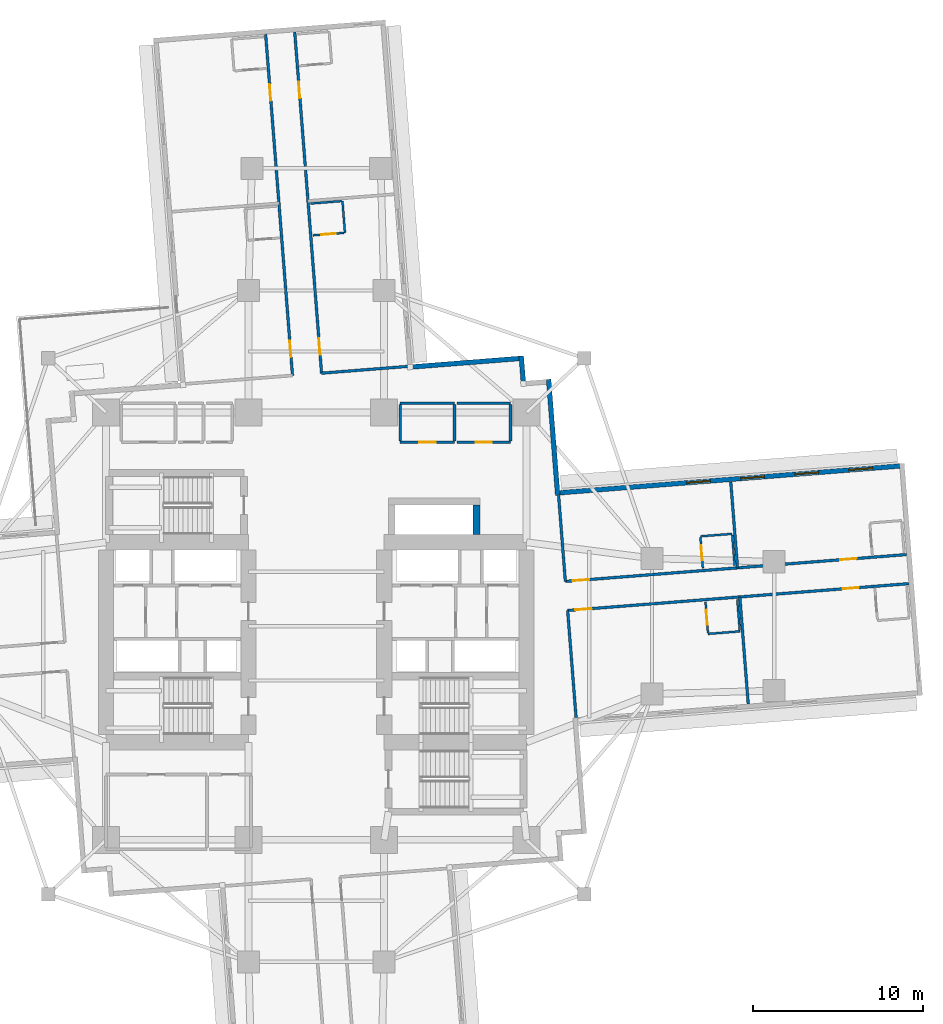
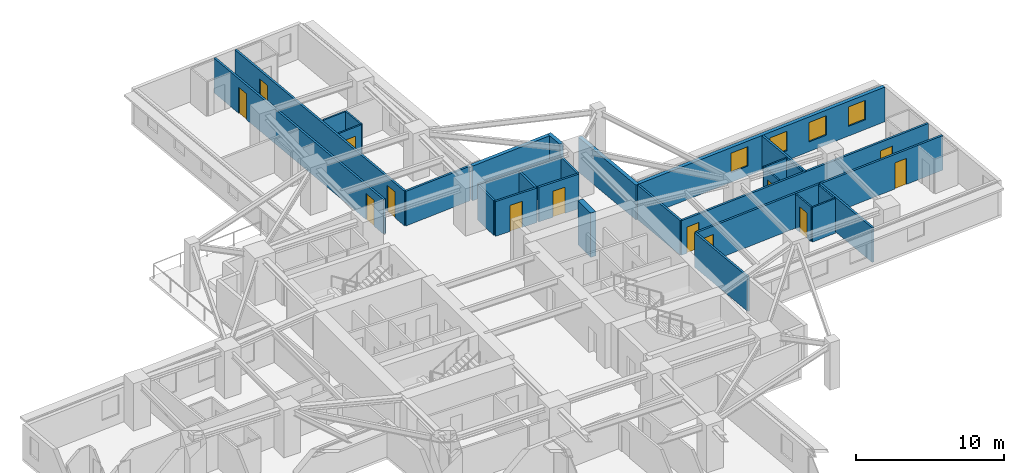
# One storey, part 7 of 13: 30 walls, 13 doors, 4 windows, 17 openings.
"""IFC4 building model written with IfcOpenShell, lengths in metres."""

from ifc_helpers import new_model, si_unit, direction, frame, frame_2d, origin, place, context, subcontext, project, spatial, rectangle, extrude, material, layer, layer_set, type_object, element, fill, save


model = new_model("IFC4")

# Units and contexts
model_context = context("Model", 3, precision=1e-05, world=origin(), true_north=direction((0.0, 1.0)))
body_context = subcontext(model_context, "Body", "Model", "MODEL_VIEW")
ifc_project = project(units=[si_unit("LENGTHUNIT", "METRE"), si_unit("AREAUNIT", "SQUARE_METRE"), si_unit("VOLUMEUNIT", "CUBIC_METRE"), si_unit("PLANEANGLEUNIT", "RADIAN"), si_unit("MASSUNIT", "GRAM", prefix="KILO")], contexts=[model_context])

# Site, building, storey
site_placement = place(None, origin())
site = spatial("IfcSite", under=ifc_project, at=site_placement, CompositionType="ELEMENT")
building_placement = place(site_placement, origin())
building = spatial("IfcBuilding", under=site, at=building_placement, Name="Qingluan Cross Belvedere", CompositionType="ELEMENT")
storey_placement = place(building_placement, frame((0.0, 0.0, 43.199951171875)))
storey = spatial("IfcBuildingStorey", under=building, at=storey_placement, Name="L11", CompositionType="ELEMENT", Elevation=43.199951171875)

# Wall
ifc_material_1 = material(Name="Concrete C50", Category="concrete")
ifc_layer_1 = layer(ifc_material_1, 0.449951171875, Name="CoreShearWall_450")
ifc_layer_set_1 = layer_set([ifc_layer_1], Name="Concrete C50")
wall_type_1 = type_object("IfcWallType", Name="CoreShearWall_450", PredefinedType="SHEAR", material=ifc_layer_set_1)
wall_1_placement = place(storey_placement, frame((9.449951171875, 5.405029296875, 0.0), z_axis=(0.0, 0.0, 1.0), x_axis=(0.0, 1.0, 0.0)))
element("IfcWall", 1, at=wall_1_placement, inside=storey, type_object=wall_type_1, Name="Express shuttle core wall L11-E", PredefinedType="SHEAR", context=body_context, shape_type="SweptSolid", body=[
    extrude(rectangle(XDim=1.73486328125, YDim=0.39990234375, at=frame_2d((0.867431640625, 0.0))), origin(), (0.0, 0.0, 1.0), 3.650146484375),
])

# Wall, opening, door
ifc_material_2 = material(Name="Gypsum plasterboard on steel stud acoustic partition", Category="steel")
ifc_layer_2 = layer(ifc_material_2, 0.159912109375, Name="CorridorPartition_160")
ifc_layer_set_2 = layer_set([ifc_layer_2], Name="Gypsum plasterboard on steel stud acoustic partition")
wall_type_2 = type_object("IfcWallType", Name="CorridorPartition_160", PredefinedType="PARTITIONING", material=ifc_layer_set_2)
wall_2_placement = place(storey_placement, frame((4.949951171875, 10.85009765625, 0.0), z_axis=(0.0, 0.0, 1.0), x_axis=(1.0, 0.0, 0.0)))
wall_2 = element("IfcWall", 2, at=wall_2_placement, inside=storey, type_object=wall_type_2, Name="Partition L11:q_ne1:S", PredefinedType="PARTITIONING", context=body_context, shape_type="SweptSolid", body=[
    extrude(rectangle(XDim=3.199951171875, YDim=0.159912109375, at=frame_2d((1.60009765625, 0.0))), origin(), (0.0, 0.0, 1.0), 2.85009765625),
])
opening_1_placement = place(wall_2_placement, frame((1.1201171875, 0.0, 0.0)))
opening_1 = element("IfcOpeningElement", 3, at=opening_1_placement, cuts=wall_2, Name="Opening GD-10", PredefinedType="OPENING", context=body_context, shape_type="SweptSolid", body=[
    extrude(rectangle(XDim=0.9599609375, YDim=2.14990234375, at=frame_2d((0.47998046875, 1.074951171875))), frame((0.0, 0.08984375, 0.0), z_axis=(0.0, -1.0, 0.0), x_axis=(1.0, 0.0, 0.0)), (0.0, 0.0, 1.0), 0.179931640625),
])
ifc_material_3 = material(Name="Timber oak fire-rated acoustic guestroom door", Category="wood")
door_type_1 = type_object("IfcDoorType", Name="GuestEntryDoor_FD60", OperationType="NOTDEFINED", PredefinedType="DOOR", material=ifc_material_3)
door_1_placement = place(opening_1_placement, origin())
door_1 = element("IfcDoor", 4, at=door_1_placement, inside=storey, type_object=door_type_1, Name="Presidential dining salon L11 door", OperationType="SINGLE_SWING_LEFT", OverallHeight=2.14990234375, OverallWidth=0.9599609375, PredefinedType="DOOR", context=body_context, shape_type="SweptSolid", body=[
    extrude(rectangle(XDim=0.9599609375, YDim=2.14990234375, at=frame_2d((0.47998046875, 1.074951171875))), frame((0.0, 0.02490234375, 0.0), z_axis=(0.0, -1.0, 0.0), x_axis=(1.0, 0.0, 0.0)), (0.0, 0.0, 1.0), 0.050048828125),
])
fill(opening_1, door_1)

# Walls
wall_3_placement = place(storey_placement, frame((4.949951171875, 13.14990234375, 0.0), z_axis=(0.0, 0.0, 1.0), x_axis=(1.0, 0.0, 0.0)))
element("IfcWall", 5, at=wall_3_placement, inside=storey, type_object=wall_type_2, Name="Partition L11:q_ne1:N", PredefinedType="PARTITIONING", context=body_context, shape_type="SweptSolid", body=[
    extrude(rectangle(XDim=3.199951171875, YDim=0.159912109375, at=frame_2d((1.60009765625, 0.0))), origin(), (0.0, 0.0, 1.0), 2.85009765625),
])
for number, where, z_axis, x_axis, name in (
    (6, (4.949951171875, 10.93505859375, 0.0), (0.0, 0.0, 1.0), (0.0, 1.0, 0.0), "Partition L11:q_ne1:W"),
    (7, (8.14990234375, 10.93505859375, 0.0), (0.0, 0.0, 1.0), (0.0, 1.0, 0.0), "Partition L11:q_ne1:E"),
):
    element("IfcWall", number, at=place(storey_placement, frame(where, z_axis=z_axis, x_axis=x_axis)), inside=storey, type_object=wall_type_2, Name=name, PredefinedType="PARTITIONING", context=body_context, shape_type="SweptSolid", body=[
        extrude(rectangle(XDim=2.1298828125, YDim=0.159912109375, at=frame_2d((1.06494140625, 0.0))), origin(), (0.0, 0.0, 1.0), 2.85009765625),
    ])

# Wall, opening, door
wall_4_placement = place(storey_placement, frame((8.31005859375, 10.85009765625, 0.0), z_axis=(0.0, 0.0, 1.0), x_axis=(1.0, 0.0, 0.0)))
wall_4 = element("IfcWall", 8, at=wall_4_placement, inside=storey, type_object=wall_type_2, Name="Partition L11:q_ne2:S", PredefinedType="PARTITIONING", context=body_context, shape_type="SweptSolid", body=[
    extrude(rectangle(XDim=3.139892578125, YDim=0.159912109375, at=frame_2d((1.56982421875, 0.0))), origin(), (0.0, 0.0, 1.0), 2.85009765625),
])
opening_2_placement = place(wall_4_placement, frame((1.090087890625, 0.0, 0.0)))
opening_2 = element("IfcOpeningElement", 9, at=opening_2_placement, cuts=wall_4, Name="Opening GD-10", PredefinedType="OPENING", context=body_context, shape_type="SweptSolid", body=[
    extrude(rectangle(XDim=0.9599609375, YDim=2.14990234375, at=frame_2d((0.47998046875, 1.074951171875))), frame((0.0, 0.08984375, 0.0), z_axis=(0.0, -1.0, 0.0), x_axis=(1.0, 0.0, 0.0)), (0.0, 0.0, 1.0), 0.179931640625),
])
door_2_placement = place(opening_2_placement, origin())
door_2 = element("IfcDoor", 10, at=door_2_placement, inside=storey, type_object=door_type_1, Name="Northeast quiet study L11 door", OperationType="SINGLE_SWING_RIGHT", OverallHeight=2.14990234375, OverallWidth=0.9599609375, PredefinedType="DOOR", context=body_context, shape_type="SweptSolid", body=[
    extrude(rectangle(XDim=0.9599609375, YDim=2.14990234375, at=frame_2d((0.47998046875, 1.074951171875))), frame((0.0, 0.02490234375, 0.0), z_axis=(0.0, -1.0, 0.0), x_axis=(1.0, 0.0, 0.0)), (0.0, 0.0, 1.0), 0.050048828125),
])
fill(opening_2, door_2)

# Walls
wall_5_placement = place(storey_placement, frame((8.31005859375, 13.14990234375, 0.0), z_axis=(0.0, 0.0, 1.0), x_axis=(1.0, 0.0, 0.0)))
element("IfcWall", 11, at=wall_5_placement, inside=storey, type_object=wall_type_2, Name="Partition L11:q_ne2:N", PredefinedType="PARTITIONING", context=body_context, shape_type="SweptSolid", body=[
    extrude(rectangle(XDim=3.139892578125, YDim=0.159912109375, at=frame_2d((1.56982421875, 0.0))), origin(), (0.0, 0.0, 1.0), 2.85009765625),
])
wall_6_placement = place(storey_placement, frame((11.449951171875, 10.93505859375, 0.0), z_axis=(0.0, 0.0, 1.0), x_axis=(0.0, 1.0, 0.0)))
element("IfcWall", 12, at=wall_6_placement, inside=storey, type_object=wall_type_2, Name="Partition L11:q_ne2:E", PredefinedType="PARTITIONING", context=body_context, shape_type="SweptSolid", body=[
    extrude(rectangle(XDim=2.1298828125, YDim=0.159912109375, at=frame_2d((1.06494140625, 0.0))), origin(), (0.0, 0.0, 1.0), 2.85009765625),
])

# Wall, openings, doors
wall_7_placement = place(storey_placement, frame((14.68798828125, 2.640625, 0.0), z_axis=(0.0, 0.0, 1.0), x_axis=(0.996917226209, 0.078460461943, 0.0)))
wall_7 = element("IfcWall", 13, at=wall_7_placement, inside=storey, type_object=wall_type_2, Name="Partition L11:E:c0", PredefinedType="PARTITIONING", context=body_context, shape_type="SweptSolid", body=[
    extrude(rectangle(XDim=20.18212890625, YDim=0.159912109375, at=frame_2d((10.091064453125, 0.0))), origin(), (0.0, 0.0, 1.0), 2.85009765625),
])
opening_3_placement = place(wall_7_placement, frame((0.449951171875, 0.0, 0.0)))
opening_3 = element("IfcOpeningElement", 14, at=opening_3_placement, cuts=wall_7, Name="Opening GD-10", PredefinedType="OPENING", context=body_context, shape_type="SweptSolid", body=[
    extrude(rectangle(XDim=0.9599609375, YDim=2.14990234375, at=frame_2d((0.47998046875, 1.074951171875))), frame((0.0, 0.08984375, 0.0), z_axis=(0.0, -1.0, 0.0), x_axis=(1.0, 0.0, 0.0)), (0.0, 0.0, 1.0), 0.179931640625),
])
opening_4_placement = place(wall_7_placement, frame((16.26806640625, 0.0, 0.0)))
opening_4 = element("IfcOpeningElement", 15, at=opening_4_placement, cuts=wall_7, Name="Opening GD-10", PredefinedType="OPENING", context=body_context, shape_type="SweptSolid", body=[
    extrude(rectangle(XDim=0.9599609375, YDim=2.14990234375, at=frame_2d((0.47998046875, 1.074951171875))), frame((0.0, 0.08984375, 0.0), z_axis=(0.0, -1.0, 0.0), x_axis=(1.0, 0.0, 0.0)), (0.0, 0.0, 1.0), 0.179931640625),
])
door_3_placement = place(opening_3_placement, origin())
door_3 = element("IfcDoor", 16, at=door_3_placement, inside=storey, type_object=door_type_1, Name="Guest entry fire door 1101", OperationType="SINGLE_SWING_LEFT", OverallHeight=2.14990234375, OverallWidth=0.9599609375, PredefinedType="DOOR", context=body_context, shape_type="SweptSolid", body=[
    extrude(rectangle(XDim=0.9599609375, YDim=2.14990234375, at=frame_2d((0.47998046875, 1.074951171875))), frame((0.0, 0.02490234375, 0.0), z_axis=(0.0, -1.0, 0.0), x_axis=(1.0, 0.0, 0.0)), (0.0, 0.0, 1.0), 0.050048828125),
])
fill(opening_3, door_3)
door_4_placement = place(opening_4_placement, origin())
door_4 = element("IfcDoor", 17, at=door_4_placement, inside=storey, type_object=door_type_1, Name="Guest entry fire door 1102", OperationType="SINGLE_SWING_LEFT", OverallHeight=2.14990234375, OverallWidth=0.9599609375, PredefinedType="DOOR", context=body_context, shape_type="SweptSolid", body=[
    extrude(rectangle(XDim=0.9599609375, YDim=2.14990234375, at=frame_2d((0.47998046875, 1.074951171875))), frame((0.0, 0.02490234375, 0.0), z_axis=(0.0, -1.0, 0.0), x_axis=(1.0, 0.0, 0.0)), (0.0, 0.0, 1.0), 0.050048828125),
])
fill(opening_4, door_4)

# Walls
wall_8_placement = place(storey_placement, frame((14.68798828125, 2.640625, 0.0), z_axis=(0.0, 0.0, 1.0), x_axis=(-0.078441660381, 0.996918705771, 0.0)))
element("IfcWall", 18, at=wall_8_placement, inside=storey, type_object=wall_type_2, Name="Partition L11:E:s0", PredefinedType="PARTITIONING", context=body_context, shape_type="SweptSolid", body=[
    extrude(rectangle(XDim=5.091796875, YDim=0.159912109375, at=frame_2d((2.5458984375, 0.0))), origin(), (0.0, 0.0, 1.0), 2.85009765625),
])
wall_9_placement = place(storey_placement, frame((24.841796875, 3.439697265625, 0.0), z_axis=(0.0, 0.0, 1.0), x_axis=(-0.078485560772, 0.996915250536, 0.0)))
element("IfcWall", 19, at=wall_9_placement, inside=storey, type_object=wall_type_2, Name="Partition L11:E:d0_0", PredefinedType="PARTITIONING", context=body_context, shape_type="SweptSolid", body=[
    extrude(rectangle(XDim=5.092041015625, YDim=0.159912109375, at=frame_2d((2.5458984375, 0.0))), origin(), (0.0, 0.0, 1.0), 2.85009765625),
])

# Wall, openings, doors
wall_10_placement = place(storey_placement, frame((14.822998046875, 0.92578125, 0.0), z_axis=(0.0, 0.0, 1.0), x_axis=(0.996917226209, 0.078460461943, 0.0)))
wall_10 = element("IfcWall", 20, at=wall_10_placement, inside=storey, type_object=wall_type_2, Name="Partition L11:E:c1", PredefinedType="PARTITIONING", context=body_context, shape_type="SweptSolid", body=[
    extrude(rectangle(XDim=20.18212890625, YDim=0.159912109375, at=frame_2d((10.091064453125, 0.0))), origin(), (0.0, 0.0, 1.0), 2.85009765625),
])
opening_5_placement = place(wall_10_placement, frame((0.449951171875, 0.0, 0.0)))
opening_5 = element("IfcOpeningElement", 21, at=opening_5_placement, cuts=wall_10, Name="Opening GD-10", PredefinedType="OPENING", context=body_context, shape_type="SweptSolid", body=[
    extrude(rectangle(XDim=0.9599609375, YDim=2.14990234375, at=frame_2d((0.47998046875, 1.074951171875))), frame((0.0, 0.08984375, 0.0), z_axis=(0.0, -1.0, 0.0), x_axis=(1.0, 0.0, 0.0)), (0.0, 0.0, 1.0), 0.179931640625),
])
opening_6_placement = place(wall_10_placement, frame((16.26806640625, 0.0, 0.0)))
opening_6 = element("IfcOpeningElement", 22, at=opening_6_placement, cuts=wall_10, Name="Opening GD-10", PredefinedType="OPENING", context=body_context, shape_type="SweptSolid", body=[
    extrude(rectangle(XDim=0.9599609375, YDim=2.14990234375, at=frame_2d((0.47998046875, 1.074951171875))), frame((0.0, 0.08984375, 0.0), z_axis=(0.0, -1.0, 0.0), x_axis=(1.0, 0.0, 0.0)), (0.0, 0.0, 1.0), 0.179931640625),
])
door_5_placement = place(opening_5_placement, origin())
door_5 = element("IfcDoor", 23, at=door_5_placement, inside=storey, type_object=door_type_1, Name="Guest entry fire door 1103", OperationType="SINGLE_SWING_LEFT", OverallHeight=2.14990234375, OverallWidth=0.9599609375, PredefinedType="DOOR", context=body_context, shape_type="SweptSolid", body=[
    extrude(rectangle(XDim=0.9599609375, YDim=2.14990234375, at=frame_2d((0.47998046875, 1.074951171875))), frame((0.0, 0.02490234375, 0.0), z_axis=(0.0, -1.0, 0.0), x_axis=(1.0, 0.0, 0.0)), (0.0, 0.0, 1.0), 0.050048828125),
])
fill(opening_5, door_5)
door_6_placement = place(opening_6_placement, origin())
door_6 = element("IfcDoor", 24, at=door_6_placement, inside=storey, type_object=door_type_1, Name="Guest entry fire door 1104", OperationType="SINGLE_SWING_LEFT", OverallHeight=2.14990234375, OverallWidth=0.9599609375, PredefinedType="DOOR", context=body_context, shape_type="SweptSolid", body=[
    extrude(rectangle(XDim=0.9599609375, YDim=2.14990234375, at=frame_2d((0.47998046875, 1.074951171875))), frame((0.0, 0.02490234375, 0.0), z_axis=(0.0, -1.0, 0.0), x_axis=(1.0, 0.0, 0.0)), (0.0, 0.0, 1.0), 0.050048828125),
])
fill(opening_6, door_6)

# Walls
for number, where, z_axis, x_axis, name in (
    (25, (14.822998046875, 0.92578125, 0.0), (0.0, 0.0, 1.0), (0.078462493424, -0.996917066323, 0.0), "Partition L11:E:s1"),
    (26, (24.976806640625, 1.72509765625, 0.0), (0.0, 0.0, 1.0), (0.07842417411, -0.996920081509, 0.0), "Partition L11:E:d1_0"),
):
    element("IfcWall", number, at=place(storey_placement, frame(where, z_axis=z_axis, x_axis=x_axis)), inside=storey, type_object=wall_type_2, Name=name, PredefinedType="PARTITIONING", context=body_context, shape_type="SweptSolid", body=[
        extrude(rectangle(XDim=6.33203125, YDim=0.159912109375, at=frame_2d((3.166015625, 0.0))), origin(), (0.0, 0.0, 1.0), 2.85009765625),
    ])

# Wall, openings, doors
wall_11_placement = place(storey_placement, frame((0.310302734375, 14.92041015625, 0.0), z_axis=(0.0, 0.0, 1.0), x_axis=(-0.078461408156, 0.996917151738, 0.0)))
wall_11 = element("IfcWall", 27, at=wall_11_placement, inside=storey, type_object=wall_type_2, Name="Partition L11:N:c0", PredefinedType="PARTITIONING", context=body_context, shape_type="SweptSolid", body=[
    extrude(rectangle(XDim=20.181884765625, YDim=0.159912109375, at=frame_2d((10.0908203125, 0.0))), origin(), (0.0, 0.0, 1.0), 2.85009765625),
])
opening_7_placement = place(wall_11_placement, frame((1.093994140625, 0.0, 0.0)))
opening_7 = element("IfcOpeningElement", 28, at=opening_7_placement, cuts=wall_11, Name="Opening GD-10", PredefinedType="OPENING", context=body_context, shape_type="SweptSolid", body=[
    extrude(rectangle(XDim=0.9599609375, YDim=2.14990234375, at=frame_2d((0.47998046875, 1.074951171875))), frame((0.0, 0.08984375, 0.0), z_axis=(0.0, -1.0, 0.0), x_axis=(1.0, 0.0, 0.0)), (0.0, 0.0, 1.0), 0.179931640625),
])
opening_8_placement = place(wall_11_placement, frame((16.26806640625, 0.0, 0.0)))
opening_8 = element("IfcOpeningElement", 29, at=opening_8_placement, cuts=wall_11, Name="Opening GD-10", PredefinedType="OPENING", context=body_context, shape_type="SweptSolid", body=[
    extrude(rectangle(XDim=0.9599609375, YDim=2.14990234375, at=frame_2d((0.47998046875, 1.074951171875))), frame((0.0, 0.08984375, 0.0), z_axis=(0.0, -1.0, 0.0), x_axis=(1.0, 0.0, 0.0)), (0.0, 0.0, 1.0), 0.179931640625),
])
door_7_placement = place(opening_7_placement, origin())
door_7 = element("IfcDoor", 30, at=door_7_placement, inside=storey, type_object=door_type_1, Name="Guest entry fire door 1109", OperationType="SINGLE_SWING_LEFT", OverallHeight=2.14990234375, OverallWidth=0.9599609375, PredefinedType="DOOR", context=body_context, shape_type="SweptSolid", body=[
    extrude(rectangle(XDim=0.9599609375, YDim=2.14990234375, at=frame_2d((0.47998046875, 1.074951171875))), frame((0.0, 0.02490234375, 0.0), z_axis=(0.0, -1.0, 0.0), x_axis=(1.0, 0.0, 0.0)), (0.0, 0.0, 1.0), 0.050048828125),
])
fill(opening_7, door_7)
door_8_placement = place(opening_8_placement, origin())
door_8 = element("IfcDoor", 31, at=door_8_placement, inside=storey, type_object=door_type_1, Name="Guest entry fire door 1110", OperationType="SINGLE_SWING_LEFT", OverallHeight=2.14990234375, OverallWidth=0.9599609375, PredefinedType="DOOR", context=body_context, shape_type="SweptSolid", body=[
    extrude(rectangle(XDim=0.9599609375, YDim=2.14990234375, at=frame_2d((0.47998046875, 1.074951171875))), frame((0.0, 0.02490234375, 0.0), z_axis=(0.0, -1.0, 0.0), x_axis=(1.0, 0.0, 0.0)), (0.0, 0.0, 1.0), 0.050048828125),
])
fill(opening_8, door_8)

# Wall
wall_12_placement = place(storey_placement, frame((0.310302734375, 14.92041015625, 0.0), z_axis=(0.0, 0.0, 1.0), x_axis=(0.996917262382, 0.07846000233, 0.0)))
element("IfcWall", 32, at=wall_12_placement, inside=storey, type_object=wall_type_2, Name="Partition L11:N:s0", PredefinedType="PARTITIONING", context=body_context, shape_type="SweptSolid", body=[
    extrude(rectangle(XDim=5.239990234375, YDim=0.159912109375, at=frame_2d((2.6201171875, 0.0))), origin(), (0.0, 0.0, 1.0), 2.85009765625),
])

# Wall, openings, doors
wall_13_placement = place(storey_placement, frame((-1.404296875, 14.785400390625, 0.0), z_axis=(0.0, 0.0, 1.0), x_axis=(-0.078460461943, 0.996917226209, 0.0)))
wall_13 = element("IfcWall", 33, at=wall_13_placement, inside=storey, type_object=wall_type_2, Name="Partition L11:N:c1", PredefinedType="PARTITIONING", context=body_context, shape_type="SweptSolid", body=[
    extrude(rectangle(XDim=20.18212890625, YDim=0.159912109375, at=frame_2d((10.091064453125, 0.0))), origin(), (0.0, 0.0, 1.0), 2.85009765625),
])
opening_9_placement = place(wall_13_placement, frame((1.093994140625, 0.0, 0.0)))
opening_9 = element("IfcOpeningElement", 34, at=opening_9_placement, cuts=wall_13, Name="Opening GD-10", PredefinedType="OPENING", context=body_context, shape_type="SweptSolid", body=[
    extrude(rectangle(XDim=0.9599609375, YDim=2.14990234375, at=frame_2d((0.47998046875, 1.074951171875))), frame((0.0, 0.08984375, 0.0), z_axis=(0.0, -1.0, 0.0), x_axis=(1.0, 0.0, 0.0)), (0.0, 0.0, 1.0), 0.179931640625),
])
opening_10_placement = place(wall_13_placement, frame((16.26806640625, 0.0, 0.0)))
opening_10 = element("IfcOpeningElement", 35, at=opening_10_placement, cuts=wall_13, Name="Opening GD-10", PredefinedType="OPENING", context=body_context, shape_type="SweptSolid", body=[
    extrude(rectangle(XDim=0.9599609375, YDim=2.14990234375, at=frame_2d((0.47998046875, 1.074951171875))), frame((0.0, 0.08984375, 0.0), z_axis=(0.0, -1.0, 0.0), x_axis=(1.0, 0.0, 0.0)), (0.0, 0.0, 1.0), 0.179931640625),
])
door_9_placement = place(opening_9_placement, origin())
door_9 = element("IfcDoor", 36, at=door_9_placement, inside=storey, type_object=door_type_1, Name="Guest entry fire door 1111", OperationType="SINGLE_SWING_LEFT", OverallHeight=2.14990234375, OverallWidth=0.9599609375, PredefinedType="DOOR", context=body_context, shape_type="SweptSolid", body=[
    extrude(rectangle(XDim=0.9599609375, YDim=2.14990234375, at=frame_2d((0.47998046875, 1.074951171875))), frame((0.0, 0.02490234375, 0.0), z_axis=(0.0, -1.0, 0.0), x_axis=(1.0, 0.0, 0.0)), (0.0, 0.0, 1.0), 0.050048828125),
])
fill(opening_9, door_9)
door_10_placement = place(opening_10_placement, origin())
door_10 = element("IfcDoor", 37, at=door_10_placement, inside=storey, type_object=door_type_1, Name="Guest entry fire door 1112", OperationType="SINGLE_SWING_LEFT", OverallHeight=2.14990234375, OverallWidth=0.9599609375, PredefinedType="DOOR", context=body_context, shape_type="SweptSolid", body=[
    extrude(rectangle(XDim=0.9599609375, YDim=2.14990234375, at=frame_2d((0.47998046875, 1.074951171875))), frame((0.0, 0.02490234375, 0.0), z_axis=(0.0, -1.0, 0.0), x_axis=(1.0, 0.0, 0.0)), (0.0, 0.0, 1.0), 0.050048828125),
])
fill(opening_10, door_10)

# Wall, opening, door
ifc_material_4 = material(Name="Moisture-resistant gypsum board lining")
ifc_layer_3 = layer(ifc_material_4, 0.1201171875, Name="EnsuiteWetPartition_120")
ifc_layer_set_3 = layer_set([ifc_layer_3], Name="Moisture-resistant gypsum board lining")
wall_type_3 = type_object("IfcWallType", Name="EnsuiteWetPartition_120", PredefinedType="PARTITIONING", material=ifc_layer_set_3)
wall_14_placement = place(storey_placement, frame((22.797119140625, 3.419189453125, 0.0), z_axis=(0.0, 0.0, 1.0), x_axis=(-0.0784709492, 0.996916400774, 0.0)))
wall_14 = element("IfcWall", 38, at=wall_14_placement, inside=storey, type_object=wall_type_3, Name="Partition L11:E:bs0_0", PredefinedType="PARTITIONING", context=body_context, shape_type="SweptSolid", body=[
    extrude(rectangle(XDim=1.820068359375, YDim=0.1201171875, at=frame_2d((0.91015625, 0.0))), origin(), (0.0, 0.0, 1.0), 2.85009765625),
])
opening_11_placement = place(wall_14_placement, frame((0.469970703125, 0.0, 0.0)))
opening_11 = element("IfcOpeningElement", 39, at=opening_11_placement, cuts=wall_14, Name="Opening BD-09", PredefinedType="OPENING", context=body_context, shape_type="SweptSolid", body=[
    extrude(rectangle(XDim=0.8798828125, YDim=2.10009765625, at=frame_2d((0.43994140625, 1.050048828125))), frame((0.0, 0.070068359375, 0.0), z_axis=(0.0, -1.0, 0.0), x_axis=(1.0, 0.0, 0.0)), (0.0, 0.0, 1.0), 0.14013671875),
])
ifc_material_5 = material(Name="Moisture-sealed timber en-suite door", Category="wood")
door_type_2 = type_object("IfcDoorType", Name="BathroomDoor_880", OperationType="NOTDEFINED", PredefinedType="DOOR", material=ifc_material_5)
door_11_placement = place(opening_11_placement, origin())
door_11 = element("IfcDoor", 40, at=door_11_placement, inside=storey, type_object=door_type_2, Name="Bathroom door 1101", OperationType="SINGLE_SWING_RIGHT", OverallHeight=2.10009765625, OverallWidth=0.8798828125, PredefinedType="DOOR", context=body_context, shape_type="SweptSolid", body=[
    extrude(rectangle(XDim=0.8798828125, YDim=2.10009765625, at=frame_2d((0.43994140625, 1.050048828125))), frame((0.0, 0.02490234375, 0.0), z_axis=(0.0, -1.0, 0.0), x_axis=(1.0, 0.0, 0.0)), (0.0, 0.0, 1.0), 0.050048828125),
])
fill(opening_11, door_11)

# Walls
wall_15_placement = place(storey_placement, frame((24.671142578125, 3.566650390625, 0.0), z_axis=(0.0, 0.0, 1.0), x_axis=(-0.0784709492, 0.996916400774, 0.0)))
element("IfcWall", 41, at=wall_15_placement, inside=storey, type_object=wall_type_3, Name="Partition L11:E:bw0_0", PredefinedType="PARTITIONING", context=body_context, shape_type="SweptSolid", body=[
    extrude(rectangle(XDim=1.820068359375, YDim=0.1201171875, at=frame_2d((0.91015625, 0.0))), origin(), (0.0, 0.0, 1.0), 2.85009765625),
])
wall_16_placement = place(storey_placement, frame((22.649169921875, 5.29833984375, 0.0), z_axis=(0.0, 0.0, 1.0), x_axis=(0.99691849475, 0.078444342213, 0.0)))
element("IfcWall", 42, at=wall_16_placement, inside=storey, type_object=wall_type_3, Name="Partition L11:E:bn0_0", PredefinedType="PARTITIONING", context=body_context, shape_type="SweptSolid", body=[
    extrude(rectangle(XDim=1.8798828125, YDim=0.1201171875, at=frame_2d((0.93994140625, 0.0))), origin(), (0.0, 0.0, 1.0), 2.85009765625),
])

# Wall, opening, door
wall_17_placement = place(storey_placement, frame((23.0966796875, -0.38916015625, 0.0), z_axis=(0.0, 0.0, 1.0), x_axis=(-0.0784709492, 0.996916400774, 0.0)))
wall_17 = element("IfcWall", 43, at=wall_17_placement, inside=storey, type_object=wall_type_3, Name="Partition L11:E:bs1_0", PredefinedType="PARTITIONING", context=body_context, shape_type="SweptSolid", body=[
    extrude(rectangle(XDim=1.820068359375, YDim=0.1201171875, at=frame_2d((0.91015625, 0.0))), origin(), (0.0, 0.0, 1.0), 2.85009765625),
])
opening_12_placement = place(wall_17_placement, frame((0.469970703125, 0.0, 0.0)))
opening_12 = element("IfcOpeningElement", 44, at=opening_12_placement, cuts=wall_17, Name="Opening BD-09", PredefinedType="OPENING", context=body_context, shape_type="SweptSolid", body=[
    extrude(rectangle(XDim=0.8798828125, YDim=2.10009765625, at=frame_2d((0.43994140625, 1.050048828125))), frame((0.0, 0.070068359375, 0.0), z_axis=(0.0, -1.0, 0.0), x_axis=(1.0, 0.0, 0.0)), (0.0, 0.0, 1.0), 0.14013671875),
])
door_12_placement = place(opening_12_placement, origin())
door_12 = element("IfcDoor", 45, at=door_12_placement, inside=storey, type_object=door_type_2, Name="Bathroom door 1103", OperationType="SINGLE_SWING_RIGHT", OverallHeight=2.10009765625, OverallWidth=0.8798828125, PredefinedType="DOOR", context=body_context, shape_type="SweptSolid", body=[
    extrude(rectangle(XDim=0.8798828125, YDim=2.10009765625, at=frame_2d((0.43994140625, 1.050048828125))), frame((0.0, 0.02490234375, 0.0), z_axis=(0.0, -1.0, 0.0), x_axis=(1.0, 0.0, 0.0)), (0.0, 0.0, 1.0), 0.050048828125),
])
fill(opening_12, door_12)

# Walls
wall_18_placement = place(storey_placement, frame((24.970947265625, -0.241455078125, 0.0), z_axis=(0.0, 0.0, 1.0), x_axis=(-0.078481444107, 0.996915574626, 0.0)))
element("IfcWall", 46, at=wall_18_placement, inside=storey, type_object=wall_type_3, Name="Partition L11:E:bw1_0", PredefinedType="PARTITIONING", context=body_context, shape_type="SweptSolid", body=[
    extrude(rectangle(XDim=1.81982421875, YDim=0.1201171875, at=frame_2d((0.909912109375, 0.0))), origin(), (0.0, 0.0, 1.0), 2.85009765625),
])
wall_19_placement = place(storey_placement, frame((23.101806640625, -0.453857421875, 0.0), z_axis=(0.0, 0.0, 1.0), x_axis=(0.996919293781, 0.07843418698, 0.0)))
element("IfcWall", 47, at=wall_19_placement, inside=storey, type_object=wall_type_3, Name="Partition L11:E:bc1_0", PredefinedType="PARTITIONING", context=body_context, shape_type="SweptSolid", body=[
    extrude(rectangle(XDim=1.880126953125, YDim=0.1201171875, at=frame_2d((0.93994140625, 0.0))), origin(), (0.0, 0.0, 1.0), 2.85009765625),
])

# Wall, opening, door
wall_20_placement = place(storey_placement, frame((-0.189208984375, 23.05126953125, 0.0), z_axis=(0.0, 0.0, 1.0), x_axis=(0.996916400774, 0.0784709492, 0.0)))
wall_20 = element("IfcWall", 48, at=wall_20_placement, inside=storey, type_object=wall_type_3, Name="Partition L11:N:bs0_0", PredefinedType="PARTITIONING", context=body_context, shape_type="SweptSolid", body=[
    extrude(rectangle(XDim=1.820068359375, YDim=0.1201171875, at=frame_2d((0.91015625, 0.0))), origin(), (0.0, 0.0, 1.0), 2.85009765625),
])
opening_13_placement = place(wall_20_placement, frame((0.469970703125, 0.0, 0.0)))
opening_13 = element("IfcOpeningElement", 49, at=opening_13_placement, cuts=wall_20, Name="Opening BD-09", PredefinedType="OPENING", context=body_context, shape_type="SweptSolid", body=[
    extrude(rectangle(XDim=0.8798828125, YDim=2.10009765625, at=frame_2d((0.43994140625, 1.050048828125))), frame((0.0, 0.070068359375, 0.0), z_axis=(0.0, -1.0, 0.0), x_axis=(1.0, 0.0, 0.0)), (0.0, 0.0, 1.0), 0.14013671875),
])
door_13_placement = place(opening_13_placement, origin())
door_13 = element("IfcDoor", 50, at=door_13_placement, inside=storey, type_object=door_type_2, Name="Bathroom door 1109", OperationType="SINGLE_SWING_RIGHT", OverallHeight=2.10009765625, OverallWidth=0.8798828125, PredefinedType="DOOR", context=body_context, shape_type="SweptSolid", body=[
    extrude(rectangle(XDim=0.8798828125, YDim=2.10009765625, at=frame_2d((0.43994140625, 1.050048828125))), frame((0.0, 0.02490234375, 0.0), z_axis=(0.0, -1.0, 0.0), x_axis=(1.0, 0.0, 0.0)), (0.0, 0.0, 1.0), 0.050048828125),
])
fill(opening_13, door_13)

# Walls
wall_21_placement = place(storey_placement, frame((-0.336669921875, 24.92529296875, 0.0), z_axis=(0.0, 0.0, 1.0), x_axis=(0.996916400774, 0.0784709492, 0.0)))
element("IfcWall", 51, at=wall_21_placement, inside=storey, type_object=wall_type_3, Name="Partition L11:N:bw0_0", PredefinedType="PARTITIONING", context=body_context, shape_type="SweptSolid", body=[
    extrude(rectangle(XDim=1.820068359375, YDim=0.1201171875, at=frame_2d((0.91015625, 0.0))), origin(), (0.0, 0.0, 1.0), 2.85009765625),
])
wall_22_placement = place(storey_placement, frame((1.68994140625, 23.19921875, 0.0), z_axis=(0.0, 0.0, 1.0), x_axis=(-0.078444342213, 0.99691849475, 0.0)))
element("IfcWall", 52, at=wall_22_placement, inside=storey, type_object=wall_type_3, Name="Partition L11:N:bn0_0", PredefinedType="PARTITIONING", context=body_context, shape_type="SweptSolid", body=[
    extrude(rectangle(XDim=1.8798828125, YDim=0.1201171875, at=frame_2d((0.93994140625, 0.0))), origin(), (0.0, 0.0, 1.0), 2.85009765625),
])

# Wall, openings, windows
ifc_material_6 = material(Name="Precast concrete C45", Category="concrete")
ifc_layer_4 = layer(ifc_material_6, 0.280029296875, Name="PrecastFacadeWall_280")
ifc_layer_set_4 = layer_set([ifc_layer_4], Name="Precast concrete C45")
wall_type_4 = type_object("IfcWallType", Name="PrecastFacadeWall_280", PredefinedType="STANDARD", material=ifc_layer_set_4)
wall_23_placement = place(storey_placement, frame((34.40478515625, 9.448486328125, 0.0), z_axis=(0.0, 0.0, 1.0), x_axis=(-0.996917828963, -0.078452802979, 0.0)))
wall_23 = element("IfcWall", 53, at=wall_23_placement, inside=storey, type_object=wall_type_4, Name="Facade wall L11-EB", PredefinedType="STANDARD", context=body_context, shape_type="SweptSolid", body=[
    extrude(rectangle(XDim=20.10009765625, YDim=0.280029296875, at=frame_2d((10.050048828125, 0.0))), origin(), (0.0, 0.0, 1.0), 2.860107421875),
])
opening_14_placement = place(wall_23_placement, frame((1.60009765625, 0.0, 0.800048828125)))
opening_14 = element("IfcOpeningElement", 54, at=opening_14_placement, cuts=wall_23, Name="Opening W-01", PredefinedType="OPENING", context=body_context, shape_type="SweptSolid", body=[
    extrude(rectangle(XDim=1.39990234375, YDim=1.60009765625, at=frame_2d((0.699951171875, 0.800048828125))), frame((0.0, 0.14990234375, 0.0), z_axis=(0.0, -1.0, 0.0), x_axis=(1.0, 0.0, 0.0)), (0.0, 0.0, 1.0), 0.300048828125),
])
opening_15_placement = place(wall_23_placement, frame((4.800048828125, 0.0, 0.800048828125)))
opening_15 = element("IfcOpeningElement", 55, at=opening_15_placement, cuts=wall_23, Name="Opening W-01", PredefinedType="OPENING", context=body_context, shape_type="SweptSolid", body=[
    extrude(rectangle(XDim=1.39990234375, YDim=1.60009765625, at=frame_2d((0.699951171875, 0.800048828125))), frame((0.0, 0.14990234375, 0.0), z_axis=(0.0, -1.0, 0.0), x_axis=(1.0, 0.0, 0.0)), (0.0, 0.0, 1.0), 0.300048828125),
])
opening_16_placement = place(wall_23_placement, frame((8.0, 0.0, 0.800048828125)))
opening_16 = element("IfcOpeningElement", 56, at=opening_16_placement, cuts=wall_23, Name="Opening W-01", PredefinedType="OPENING", context=body_context, shape_type="SweptSolid", body=[
    extrude(rectangle(XDim=1.39990234375, YDim=1.60009765625, at=frame_2d((0.699951171875, 0.800048828125))), frame((0.0, 0.14990234375, 0.0), z_axis=(0.0, -1.0, 0.0), x_axis=(1.0, 0.0, 0.0)), (0.0, 0.0, 1.0), 0.300048828125),
])
opening_17_placement = place(wall_23_placement, frame((11.199951171875, 0.0, 0.800048828125)))
opening_17 = element("IfcOpeningElement", 57, at=opening_17_placement, cuts=wall_23, Name="Opening W-01", PredefinedType="OPENING", context=body_context, shape_type="SweptSolid", body=[
    extrude(rectangle(XDim=1.39990234375, YDim=1.60009765625, at=frame_2d((0.699951171875, 0.800048828125))), frame((0.0, 0.14990234375, 0.0), z_axis=(0.0, -1.0, 0.0), x_axis=(1.0, 0.0, 0.0)), (0.0, 0.0, 1.0), 0.300048828125),
])
ifc_material_7 = material(Name="Thermally broken triple Low-E glass in aluminium frame", Category="aluminium")
window_type = type_object("IfcWindowType", Name="TriRibbonWin_1400x1600", PartitioningType="SINGLE_PANEL", PredefinedType="WINDOW", material=ifc_material_7)
window_1_placement = place(opening_14_placement, origin())
window_1 = element("IfcWindow", 58, at=window_1_placement, inside=storey, type_object=window_type, Name="Ribbon window L11-EB-1", OverallHeight=1.60009765625, OverallWidth=1.39990234375, PartitioningType="SINGLE_PANEL", PredefinedType="WINDOW", context=body_context, shape_type="SweptSolid", body=[
    extrude(rectangle(XDim=1.39990234375, YDim=1.60009765625, at=frame_2d((0.699951171875, 0.800048828125))), frame((0.0, 0.030029296875, 0.0), z_axis=(0.0, -1.0, 0.0), x_axis=(1.0, 0.0, 0.0)), (0.0, 0.0, 1.0), 0.06005859375),
])
fill(opening_14, window_1)
window_2_placement = place(opening_15_placement, origin())
window_2 = element("IfcWindow", 59, at=window_2_placement, inside=storey, type_object=window_type, Name="Ribbon window L11-EB-2", OverallHeight=1.60009765625, OverallWidth=1.39990234375, PartitioningType="SINGLE_PANEL", PredefinedType="WINDOW", context=body_context, shape_type="SweptSolid", body=[
    extrude(rectangle(XDim=1.39990234375, YDim=1.60009765625, at=frame_2d((0.699951171875, 0.800048828125))), frame((0.0, 0.030029296875, 0.0), z_axis=(0.0, -1.0, 0.0), x_axis=(1.0, 0.0, 0.0)), (0.0, 0.0, 1.0), 0.06005859375),
])
fill(opening_15, window_2)
window_3_placement = place(opening_16_placement, origin())
window_3 = element("IfcWindow", 60, at=window_3_placement, inside=storey, type_object=window_type, Name="Ribbon window L11-EB-3", OverallHeight=1.60009765625, OverallWidth=1.39990234375, PartitioningType="SINGLE_PANEL", PredefinedType="WINDOW", context=body_context, shape_type="SweptSolid", body=[
    extrude(rectangle(XDim=1.39990234375, YDim=1.60009765625, at=frame_2d((0.699951171875, 0.800048828125))), frame((0.0, 0.030029296875, 0.0), z_axis=(0.0, -1.0, 0.0), x_axis=(1.0, 0.0, 0.0)), (0.0, 0.0, 1.0), 0.06005859375),
])
fill(opening_16, window_3)
window_4_placement = place(opening_17_placement, origin())
window_4 = element("IfcWindow", 61, at=window_4_placement, inside=storey, type_object=window_type, Name="Ribbon window L11-EB-4", OverallHeight=1.60009765625, OverallWidth=1.39990234375, PartitioningType="SINGLE_PANEL", PredefinedType="WINDOW", context=body_context, shape_type="SweptSolid", body=[
    extrude(rectangle(XDim=1.39990234375, YDim=1.60009765625, at=frame_2d((0.699951171875, 0.800048828125))), frame((0.0, 0.030029296875, 0.0), z_axis=(0.0, -1.0, 0.0), x_axis=(1.0, 0.0, 0.0)), (0.0, 0.0, 1.0), 0.06005859375),
])
fill(opening_17, window_4)

# Walls
wall_24_placement = place(storey_placement, frame((14.238037109375, 7.720947265625, 0.0), z_axis=(0.0, 0.0, 1.0), x_axis=(-0.078438149236, 0.996918982036, 0.0)))
element("IfcWall", 62, at=wall_24_placement, inside=storey, type_object=wall_type_4, Name="Corner wall L11-NE1", PredefinedType="STANDARD", context=body_context, shape_type="SweptSolid", body=[
    extrude(rectangle(XDim=6.860107421875, YDim=0.280029296875, at=frame_2d((3.43017578125, 0.0))), origin(), (0.0, 0.0, 1.0), 2.860107421875),
])
wall_25_placement = place(storey_placement, frame((12.20458984375, 14.442138671875, 0.0), z_axis=(0.0, 0.0, 1.0), x_axis=(-0.078451338629, 0.9969179442, 0.0)))
element("IfcWall", 63, at=wall_25_placement, inside=storey, type_object=wall_type_4, Name="Corner wall L11-NE3", PredefinedType="STANDARD", context=body_context, shape_type="SweptSolid", body=[
    extrude(rectangle(XDim=1.5, YDim=0.280029296875, at=frame_2d((0.75, 0.0))), origin(), (0.0, 0.0, 1.0), 2.860107421875),
])
wall_26_placement = place(storey_placement, frame((11.958251953125, 15.786865234375, 0.0), z_axis=(0.0, 0.0, 1.0), x_axis=(-0.996916125428, -0.078474447191, 0.0)))
element("IfcWall", 64, at=wall_26_placement, inside=storey, type_object=wall_type_4, Name="Corner wall L11-NE4", PredefinedType="STANDARD", context=body_context, shape_type="SweptSolid", body=[
    extrude(rectangle(XDim=6.300048828125, YDim=0.280029296875, at=frame_2d((3.14990234375, 0.0))), origin(), (0.0, 0.0, 1.0), 2.860107421875),
])

save(model, "model.ifc")
